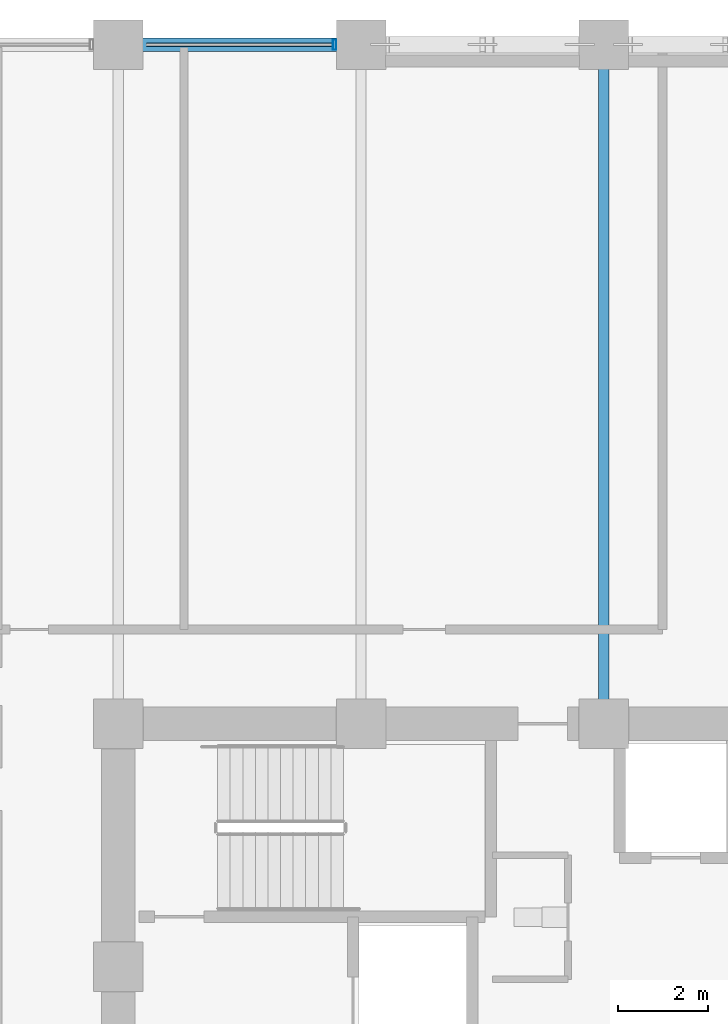
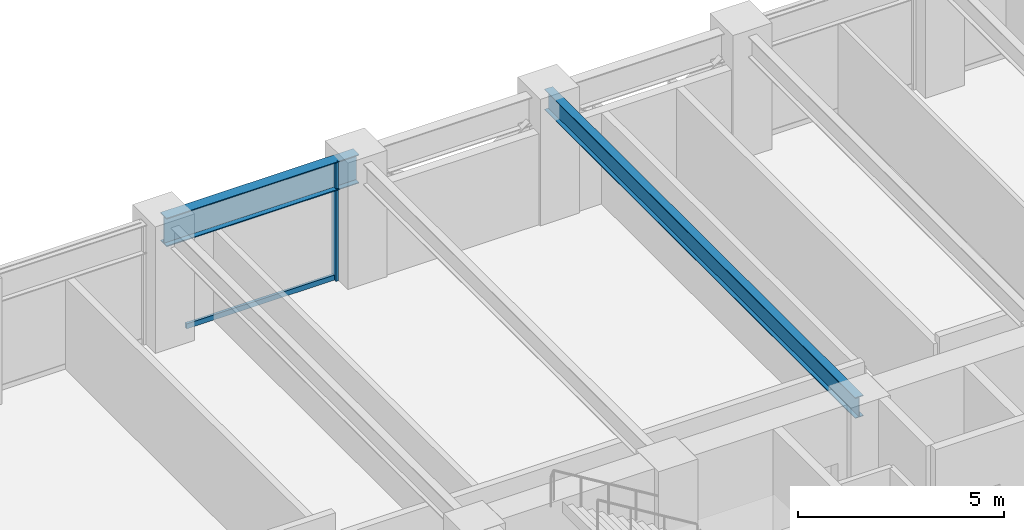
# One storey, part 15 of 29: 2 beams, 2 members, 1 element without a shape of its own.
"""IFC4 building model written with IfcOpenShell, lengths in metres."""

import ifcopenshell
import ifcopenshell.guid

model = None  # the IFC model being written
_history = None  # IfcOwnerHistory: only IFC2X3 demands one
_inside = {}  # id of a spatial element -> (the spatial element, [elements in it])
_under = {}  # id of a project, library or spatial element -> (it, [spatial elements below it])
_declared = {}  # id of a project -> (the project, [libraries it declares])
_typed = {}  # id of a type object -> (the type object, [elements of that type])
_made_of = {}  # id of a material, layer set ... -> (it, [elements and type objects made of it])


def new_model(schema):
    """Start an empty IFC model of exactly this schema.

    Asked for "IFC4X3", IfcOpenShell would pick the latest addendum, in which some entities
    have other attributes; the version numbers below select the first issue.
    IFC2X3 requires an IfcOwnerHistory on every rooted entity: one is made here for all.
    """
    global model, _history
    if schema == "IFC4X3":
        model = ifcopenshell.file(schema_version=(4, 3, 0, 0))
    else:
        model = ifcopenshell.file(schema=schema)
    _inside.clear()
    _under.clear()
    _declared.clear()
    _typed.clear()
    _made_of.clear()
    _history = None
    if model.schema == "IFC2X3":
        org = make("IfcOrganization", Name="unknown")
        user = make(
            "IfcPersonAndOrganization",
            ThePerson=make("IfcPerson", FamilyName="unknown"),
            TheOrganization=org,
        )
        app = make(
            "IfcApplication",
            ApplicationDeveloper=org,
            Version="unknown",
            ApplicationFullName="unknown",
            ApplicationIdentifier="unknown",
        )
        _history = make(
            "IfcOwnerHistory",
            OwningUser=user,
            OwningApplication=app,
            ChangeAction="ADDED",
            CreationDate=0,
        )
    return model


def make(cls, **values):
    """One entity of the class cls with the attributes given. An attribute that is None is left unset."""
    return model.create_entity(
        cls, **{name: value for name, value in values.items() if value is not None}
    )


def rooted(cls, **values):
    """An entity with a GlobalId (a new one), such as an element, a storey or a relation."""
    return make(cls, GlobalId=ifcopenshell.guid.new(), OwnerHistory=_history, **values)


def si_unit(unit_type, name, prefix=None):
    """IfcSIUnit, for example si_unit("LENGTHUNIT", "METRE", prefix="MILLI")."""
    return make("IfcSIUnit", UnitType=unit_type, Prefix=prefix, Name=name)


def assignment(units):
    """IfcUnitAssignment: the units of a project."""
    return None if units is None else make("IfcUnitAssignment", Units=units)


def point(xyz):
    """IfcCartesianPoint."""
    return None if xyz is None else make("IfcCartesianPoint", Coordinates=xyz)


def direction(xyz):
    """IfcDirection."""
    return None if xyz is None else make("IfcDirection", DirectionRatios=xyz)


def frame(location, z_axis=None, x_axis=None):
    """IfcAxis2Placement3D, a coordinate frame: its origin and axes. An axis left out is left unset."""
    return make(
        "IfcAxis2Placement3D",
        Location=point(location),
        Axis=direction(z_axis),
        RefDirection=direction(x_axis),
    )


def frame_2d(location, x_axis=None):
    """IfcAxis2Placement2D, a coordinate frame in the plane: its origin and x axis."""
    return make(
        "IfcAxis2Placement2D", Location=point(location), RefDirection=direction(x_axis)
    )


def origin():
    """The frame at (0, 0, 0) with its axes left unset."""
    return frame((0.0, 0.0, 0.0))


def origin_2d():
    """The frame at (0, 0) in the plane with its x axis left unset."""
    return frame_2d((0.0, 0.0))


def place(relative_to, where):
    """IfcLocalPlacement: puts the frame where relative to a parent placement (None: the world)."""
    return make(
        "IfcLocalPlacement", PlacementRelTo=relative_to, RelativePlacement=where
    )


def context(
    kind, dimensions, precision=None, world=None, true_north=None, identifier=None
):
    """IfcGeometricRepresentationContext, for example the 3D "Model" context."""
    return make(
        "IfcGeometricRepresentationContext",
        ContextIdentifier=identifier,
        ContextType=kind,
        CoordinateSpaceDimension=dimensions,
        Precision=precision,
        WorldCoordinateSystem=world,
        TrueNorth=true_north,
    )


def subcontext(parent, identifier, kind, view, scale=None):
    """IfcGeometricRepresentationSubContext, for example "Body" below "Model"."""
    return make(
        "IfcGeometricRepresentationSubContext",
        ContextIdentifier=identifier,
        ContextType=kind,
        ParentContext=parent,
        TargetScale=scale,
        TargetView=view,
    )


def project(units=None, contexts=None):
    """IfcProject with its units and contexts."""
    return rooted(
        "IfcProject",
        Name="project",
        RepresentationContexts=contexts,
        UnitsInContext=assignment(units),
    )


def spatial(cls, under=None, at=None, **own):
    """A site, building, storey or space (cls), placed at a placement, below another one or the project."""
    s = rooted(cls, ObjectPlacement=at, **own)
    if under is not None:
        _under.setdefault(under.id(), (under, []))[1].append(s)
    return s


def profile(cls, at=None, kind="AREA", **sizes):
    """A parametric profile (cls). Its sizes go by their IFC names, for example OverallWidth=200.0."""
    return make(cls, ProfileType=kind, Position=at, **sizes)


def hollow_rectangle(**sizes):
    """IfcRectangleHollowProfileDef."""
    return profile("IfcRectangleHollowProfileDef", **sizes)


def i_section(**sizes):
    """IfcIShapeProfileDef."""
    return profile("IfcIShapeProfileDef", **sizes)


def extrude(swept, where, along, depth):
    """IfcExtrudedAreaSolid: the profile swept, set in the frame where, extruded along a direction by depth."""
    return make(
        "IfcExtrudedAreaSolid",
        SweptArea=swept,
        Position=where,
        ExtrudedDirection=direction(along),
        Depth=depth,
    )


def shape(context_of_items, identifier, shape_type, items):
    """IfcShapeRepresentation: the items that make up one representation, for example the "Body"."""
    return make(
        "IfcShapeRepresentation",
        ContextOfItems=context_of_items,
        RepresentationIdentifier=identifier,
        RepresentationType=shape_type,
        Items=items,
    )


def material(Name=None, Category=None):
    """IfcMaterial."""
    return make("IfcMaterial", Name=Name, Category=Category)


def layer(
    of_material, thickness, ventilated=None, Name=None, Category=None, Priority=None
):
    """IfcMaterialLayer: one layer of a wall or slab, of a material (None: an air gap)."""
    return make(
        "IfcMaterialLayer",
        Material=of_material,
        LayerThickness=thickness,
        IsVentilated=ventilated,
        Name=Name,
        Category=Category,
        Priority=Priority,
    )


def layer_set(layers, Name=None):
    """IfcMaterialLayerSet."""
    return make("IfcMaterialLayerSet", MaterialLayers=layers, LayerSetName=Name)


def material_profile(
    of_material, cross_section, Name=None, Category=None, Priority=None
):
    """IfcMaterialProfile: a cross section and its material."""
    return make(
        "IfcMaterialProfile",
        Name=Name,
        Material=of_material,
        Profile=cross_section,
        Priority=Priority,
        Category=Category,
    )


def profile_set(profiles, Name=None, composite=None):
    """IfcMaterialProfileSet."""
    return make(
        "IfcMaterialProfileSet",
        Name=Name,
        MaterialProfiles=profiles,
        CompositeProfile=composite,
    )


def made_of(thing, what):
    """Note that an element or type object is made of a material, layer set ...; save() writes the relation."""
    if what is not None:
        _made_of.setdefault(what.id(), (what, []))[1].append(thing)
    return thing


def type_object(cls, material=None, **own):
    """A type object (cls), such as IfcWallType, which elements share."""
    return made_of(rooted(cls, **own), material)


def element(
    cls,
    number,
    at=None,
    inside=None,
    cuts=None,
    type_object=None,
    material=None,
    context=None,
    identifier="Body",
    shape_type=None,
    held_by="IfcProductDefinitionShape",
    body=None,
    shapes=None,
    **own,
):
    """One element of the class cls, such as IfcWall. Its Tag is "e" and its number.

    at: its placement. inside: the storey or other place that contains it. cuts: it is an
    opening in that element (IfcRelVoidsElement). A single representation is given by context,
    identifier, shape_type and body (its items); several are given by shapes. held_by: the class
    of the entity that holds the representations. save() writes the other relations.
    """
    e = rooted(cls, Tag="e%d" % number, ObjectPlacement=at, **own)
    if body is not None:
        shapes = [shape(context, identifier, shape_type, body)]
    if shapes is not None:
        e.Representation = make(held_by, Representations=shapes)
    if inside is not None:
        _inside.setdefault(inside.id(), (inside, []))[1].append(e)
    if cuts is not None:
        rooted(
            "IfcRelVoidsElement", RelatingBuildingElement=cuts, RelatedOpeningElement=e
        )
    if type_object is not None:
        _typed.setdefault(type_object.id(), (type_object, []))[1].append(e)
    return made_of(e, material)


def aggregate(whole, parts):
    """IfcRelAggregates: a whole, such as a stair, and the parts it consists of."""
    return rooted("IfcRelAggregates", RelatingObject=whole, RelatedObjects=parts)


def save(model, path):
    """Write the relations noted so far, then the file.

    IfcRelAggregates (storeys below a building ...), IfcRelContainedInSpatialStructure (elements
    in a storey), IfcRelDefinesByType, IfcRelAssociatesMaterial and IfcRelDeclares: one each for
    every whole, place, type object, material and project.
    """
    for whole, parts in _under.values():
        aggregate(whole, parts)
    for where, things in _inside.values():
        rooted(
            "IfcRelContainedInSpatialStructure",
            RelatedElements=things,
            RelatingStructure=where,
        )
    for kind, things in _typed.values():
        rooted("IfcRelDefinesByType", RelatedObjects=things, RelatingType=kind)
    for what, things in _made_of.values():
        rooted("IfcRelAssociatesMaterial", RelatedObjects=things, RelatingMaterial=what)
    for by, libraries in _declared.values():
        rooted("IfcRelDeclares", RelatingContext=by, RelatedDefinitions=libraries)
    model.write(path)


model = new_model("IFC4")

# Units and contexts
model_context = context("Model", 3, precision=1e-05, world=origin(), true_north=direction((0.0, 1.0)))
body_context = subcontext(model_context, "Body", "Model", "MODEL_VIEW")
ifc_project = project(units=[si_unit("LENGTHUNIT", "METRE"), si_unit("AREAUNIT", "SQUARE_METRE"), si_unit("VOLUMEUNIT", "CUBIC_METRE"), si_unit("PLANEANGLEUNIT", "RADIAN"), si_unit("MASSUNIT", "GRAM", prefix="KILO")], contexts=[model_context])

# Site, building, storey
site_placement = place(None, origin())
site = spatial("IfcSite", under=ifc_project, at=site_placement, CompositionType="ELEMENT")
building_placement = place(site_placement, origin())
building = spatial("IfcBuilding", under=site, at=building_placement, Name="Surkhivell Harbour Commons", CompositionType="ELEMENT")
storey_placement = place(building_placement, frame((0.0, 0.0, 87.0)))
storey = spatial("IfcBuildingStorey", under=building, at=storey_placement, Name="L22", CompositionType="ELEMENT", Elevation=87.0)

# Beams
ifc_material_1 = material(Name="Steel S355", Category="steel")
ifc_material_profile_1 = material_profile(ifc_material_1, i_section(OverallWidth=0.22998046875, OverallDepth=0.616943359375, WebThickness=0.01318359375, FlangeThickness=0.022216796875, at=origin_2d()), Name="UB610x229x140")
ifc_profile_set_1 = profile_set([ifc_material_profile_1], Name="Steel S355")
beam_type_1 = type_object("IfcBeamType", Name="BM-GRD-610B", PredefinedType="BEAM", material=ifc_profile_set_1)
beam_1_placement = place(storey_placement, frame((0.0, 10.800048828125, 3.261474609375), z_axis=(0.0, 1.0, 0.0), x_axis=(-1.0, 0.0, 0.0)))
element("IfcBeam", 1, at=beam_1_placement, inside=storey, type_object=beam_type_1, Name="L22 Floor Girder (0.0,10.8)", PredefinedType="BEAM", context=body_context, shape_type="SweptSolid", body=[
    extrude(i_section(OverallWidth=0.22998046875, OverallDepth=0.616943359375, WebThickness=0.01318359375, FlangeThickness=0.022216796875, at=origin_2d()), origin(), (0.0, 0.0, 1.0), 15.099853515625),
])
ifc_material_2 = material(Name="Steel S460", Category="steel")
ifc_material_profile_2 = material_profile(ifc_material_2, i_section(OverallWidth=0.2939453125, OverallDepth=0.85107421875, WebThickness=0.01611328125, FlangeThickness=0.02685546875, at=origin_2d()), Name="UB838x292x226")
ifc_profile_set_2 = profile_set([ifc_material_profile_2], Name="Steel S460")
beam_type_2 = type_object("IfcBeamType", Name="BM-SPN-838", PredefinedType="SPANDREL", material=ifc_profile_set_2)
beam_2_placement = place(storey_placement, frame((-10.800048828125, 25.89990234375, 3.14453125), z_axis=(1.0, 0.0, 0.0), x_axis=(0.0, 1.0, 0.0)))
element("IfcBeam", 2, at=beam_2_placement, inside=storey, type_object=beam_type_2, Name="L22 Tube Spandrel (-10.8,25.9)", PredefinedType="SPANDREL", context=body_context, shape_type="SweptSolid", body=[
    extrude(i_section(OverallWidth=0.2939453125, OverallDepth=0.85107421875, WebThickness=0.01611328125, FlangeThickness=0.02685546875, at=origin_2d()), origin(), (0.0, 0.0, 1.0), 5.400146484375),
])

# Curtain wall, members
ifc_material_3 = material(Name="Anodised pale-metal aluminium and insulated glazing", Category="aluminium")
ifc_layer = layer(ifc_material_3, 0.205078125)
ifc_layer_set = layer_set([ifc_layer], Name="Anodised pale-metal aluminium and insulated glazing")
curtain_wall_type = type_object("IfcCurtainWallType", Name="CW-SYS-Z2", PredefinedType="NOTDEFINED", material=ifc_layer_set)
curtain_wall_placement = place(storey_placement, origin())
curtain_wall = element("IfcCurtainWall", 3, at=curtain_wall_placement, inside=storey, type_object=curtain_wall_type, Name="L22 Curtain Wall CW-L22-E07S2", PredefinedType="NOTDEFINED")
ifc_material_4 = material(Name="Anodised pale-metal aluminium alloy 6063-T6", Category="aluminium")
ifc_material_profile_3 = material_profile(ifc_material_4, hollow_rectangle(XDim=0.074951171875, YDim=0.219970703125, WallThickness=0.00390625, at=origin_2d()), Name="ALU-MULL-75x220")
ifc_profile_set_3 = profile_set([ifc_material_profile_3], Name="Anodised pale-metal aluminium alloy 6063-T6")
member_type_1 = type_object("IfcMemberType", Name="CWM-220", PredefinedType="MULLION", material=ifc_profile_set_3)
member_1_placement = place(storey_placement, frame((-5.989501953125, 25.89990234375, 0.0), z_axis=(0.0, 0.0, 1.0), x_axis=(-1.0, 0.0, 0.0)))
member_1 = element("IfcMember", 4, at=member_1_placement, type_object=member_type_1, Name="CW-Z2 mullion 1", PredefinedType="MULLION", context=body_context, shape_type="SweptSolid", body=[
    extrude(hollow_rectangle(XDim=0.074951171875, YDim=0.219970703125, WallThickness=0.00390625, at=origin_2d()), origin(), (0.0, 0.0, 1.0), 3.570068359375),
])
ifc_material_profile_4 = material_profile(ifc_material_4, hollow_rectangle(XDim=0.074951171875, YDim=0.14990234375, WallThickness=0.00341796875, at=origin_2d()), Name="ALU-TRAN-75x150")
ifc_profile_set_4 = profile_set([ifc_material_profile_4], Name="Anodised pale-metal aluminium alloy 6063-T6")
member_type_2 = type_object("IfcMemberType", Name="CWT-150", PredefinedType="USERDEFINED", material=ifc_profile_set_4)
member_2_placement = place(storey_placement, frame((-6.027099609375, 25.89990234375, 0.074951171875), z_axis=(-1.0, 0.0, 0.0), x_axis=(0.0, -1.0, 0.0)))
member_2 = element("IfcMember", 5, at=member_2_placement, type_object=member_type_2, Name="CW-Z2 transom 1.1", ObjectType="TRANSOM", PredefinedType="USERDEFINED", context=body_context, shape_type="SweptSolid", body=[
    extrude(hollow_rectangle(XDim=0.074951171875, YDim=0.14990234375, WallThickness=0.00341796875, at=origin_2d()), origin(), (0.0, 0.0, 1.0), 4.14599609375),
])
aggregate(curtain_wall, [member_1, member_2])

save(model, "model.ifc")
